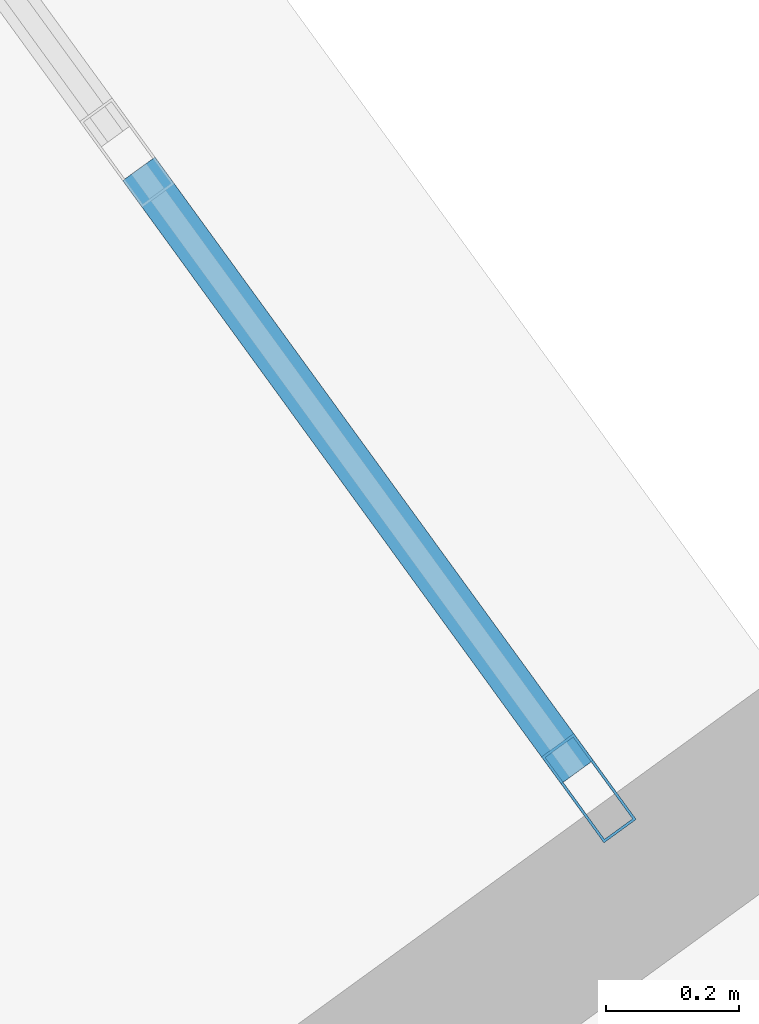
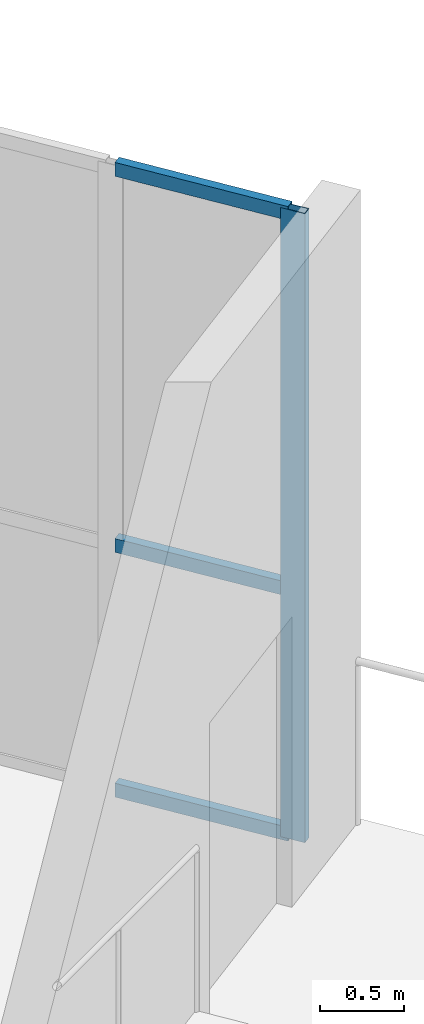
# One storey, part 90 of 182: 4 members, 1 element without a shape of its own.
"""IFC4 building model written with IfcOpenShell, lengths in metres."""

from ifc_helpers import new_model, si_unit, direction, frame, origin, origin_2d, place, context, subcontext, project, spatial, hollow_rectangle, extrude, material, material_profile, profile_set, type_object, element, aggregate, save


model = new_model("IFC4")

# Units and contexts
model_context = context("Model", 3, precision=1e-05, world=origin(), true_north=direction((0.0, 1.0)))
body_context = subcontext(model_context, "Body", "Model", "MODEL_VIEW")
ifc_project = project(units=[si_unit("LENGTHUNIT", "METRE"), si_unit("AREAUNIT", "SQUARE_METRE"), si_unit("VOLUMEUNIT", "CUBIC_METRE"), si_unit("PLANEANGLEUNIT", "RADIAN"), si_unit("MASSUNIT", "GRAM", prefix="KILO")], contexts=[model_context])

# Site, building, storey
site_placement = place(None, origin())
site = spatial("IfcSite", under=ifc_project, at=site_placement, CompositionType="ELEMENT")
building_placement = place(site_placement, origin())
building = spatial("IfcBuilding", under=site, at=building_placement, Name="Okhra Congress Centre", CompositionType="ELEMENT")
storey_placement = place(building_placement, frame((0.0, 0.0, 7.199951171875)))
storey = spatial("IfcBuildingStorey", under=building, at=storey_placement, Name="L01", CompositionType="ELEMENT", Elevation=7.199951171875)

# Curtain wall, members
ifc_material_1 = material(Name="Aluminium curtain wall, triple glazing", Category="aluminium")
curtain_wall_type = type_object("IfcCurtainWallType", Name="Curtain wall 1500 module", PredefinedType="NOTDEFINED", material=ifc_material_1)
curtain_wall_placement = place(storey_placement, origin())
curtain_wall = element("IfcCurtainWall", 1, at=curtain_wall_placement, inside=storey, type_object=curtain_wall_type, Name="Lounge glazing N", PredefinedType="NOTDEFINED")
ifc_material_2 = material(Name="Aluminium alloy EN AW-6063 T66", Category="aluminium")
ifc_material_profile_1 = material_profile(ifc_material_2, hollow_rectangle(XDim=0.06005859375, YDim=0.159912109375, WallThickness=0.00390625, at=origin_2d()), Name="RHS 60x160x4")
ifc_profile_set_1 = profile_set([ifc_material_profile_1], Name="Aluminium alloy EN AW-6063 T66")
member_type_1 = type_object("IfcMemberType", Name="Curtain wall mullion 60x160", PredefinedType="MULLION", material=ifc_profile_set_1)
member_1_placement = place(storey_placement, frame((222.2392578125, 200.675048828125, 0.0), z_axis=(0.0, 0.0, 1.0), x_axis=(-0.809016994283, -0.58778525242, 0.0)))
member_1 = element("IfcMember", 2, at=member_1_placement, type_object=member_type_1, Name="CW7 mullion 1", PredefinedType="MULLION", context=body_context, shape_type="SweptSolid", body=[
    extrude(hollow_rectangle(XDim=0.06005859375, YDim=0.159912109375, WallThickness=0.00390625, at=origin_2d()), origin(), (0.0, 0.0, 1.0), 4.550048828125),
])
ifc_material_profile_2 = material_profile(ifc_material_2, hollow_rectangle(XDim=0.06005859375, YDim=0.10009765625, WallThickness=0.00390625, at=origin_2d()), Name="RHS 60x100x4")
ifc_profile_set_2 = profile_set([ifc_material_profile_2], Name="Aluminium alloy EN AW-6063 T66")
member_type_2 = type_object("IfcMemberType", Name="Curtain wall transom 60x100", PredefinedType="USERDEFINED", material=ifc_profile_set_2)
member_2_placement = place(storey_placement, frame((222.2216796875, 200.69921875, 0.030029296875), z_axis=(-0.587822514699, 0.808989920341, 0.0), x_axis=(-0.808989920341, -0.587822514699, 0.0)))
member_2 = element("IfcMember", 3, at=member_2_placement, type_object=member_type_2, Name="CW7 transom 1.1", ObjectType="TRANSOM", PredefinedType="USERDEFINED", context=body_context, shape_type="SweptSolid", body=[
    extrude(hollow_rectangle(XDim=0.06005859375, YDim=0.10009765625, WallThickness=0.00390625, at=origin_2d()), origin(), (0.0, 0.0, 1.0), 1.12255859375),
])
member_3_placement = place(storey_placement, frame((222.2216796875, 200.69921875, 1.800048828125), z_axis=(-0.587822514699, 0.808989920341, 0.0), x_axis=(-0.808989920341, -0.587822514699, 0.0)))
member_3 = element("IfcMember", 4, at=member_3_placement, type_object=member_type_2, Name="CW7 transom 1.2", ObjectType="TRANSOM", PredefinedType="USERDEFINED", context=body_context, shape_type="SweptSolid", body=[
    extrude(hollow_rectangle(XDim=0.06005859375, YDim=0.10009765625, WallThickness=0.00390625, at=origin_2d()), origin(), (0.0, 0.0, 1.0), 1.12255859375),
])
member_4_placement = place(storey_placement, frame((222.2216796875, 200.69921875, 4.52001953125), z_axis=(-0.587822514699, 0.808989920341, 0.0), x_axis=(-0.808989920341, -0.587822514699, 0.0)))
member_4 = element("IfcMember", 5, at=member_4_placement, type_object=member_type_2, Name="CW7 transom 1.3", ObjectType="TRANSOM", PredefinedType="USERDEFINED", context=body_context, shape_type="SweptSolid", body=[
    extrude(hollow_rectangle(XDim=0.06005859375, YDim=0.10009765625, WallThickness=0.00390625, at=origin_2d()), origin(), (0.0, 0.0, 1.0), 1.12255859375),
])
aggregate(curtain_wall, [member_1, member_2, member_3, member_4])

save(model, "model.ifc")
